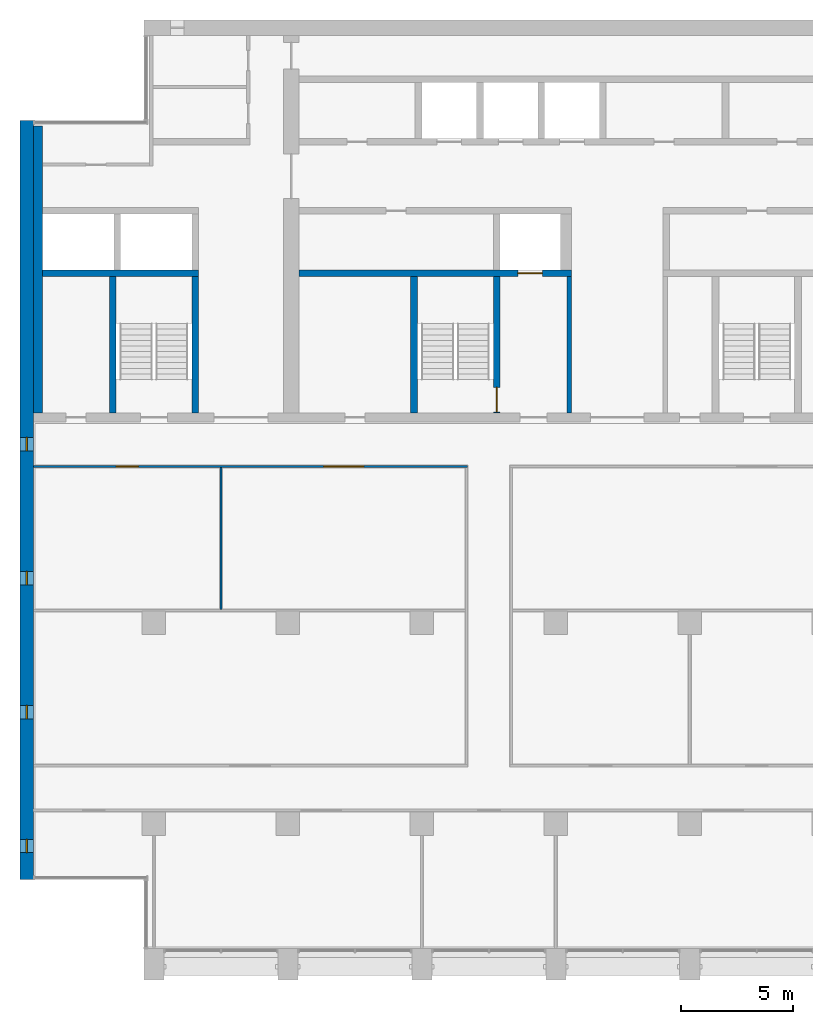
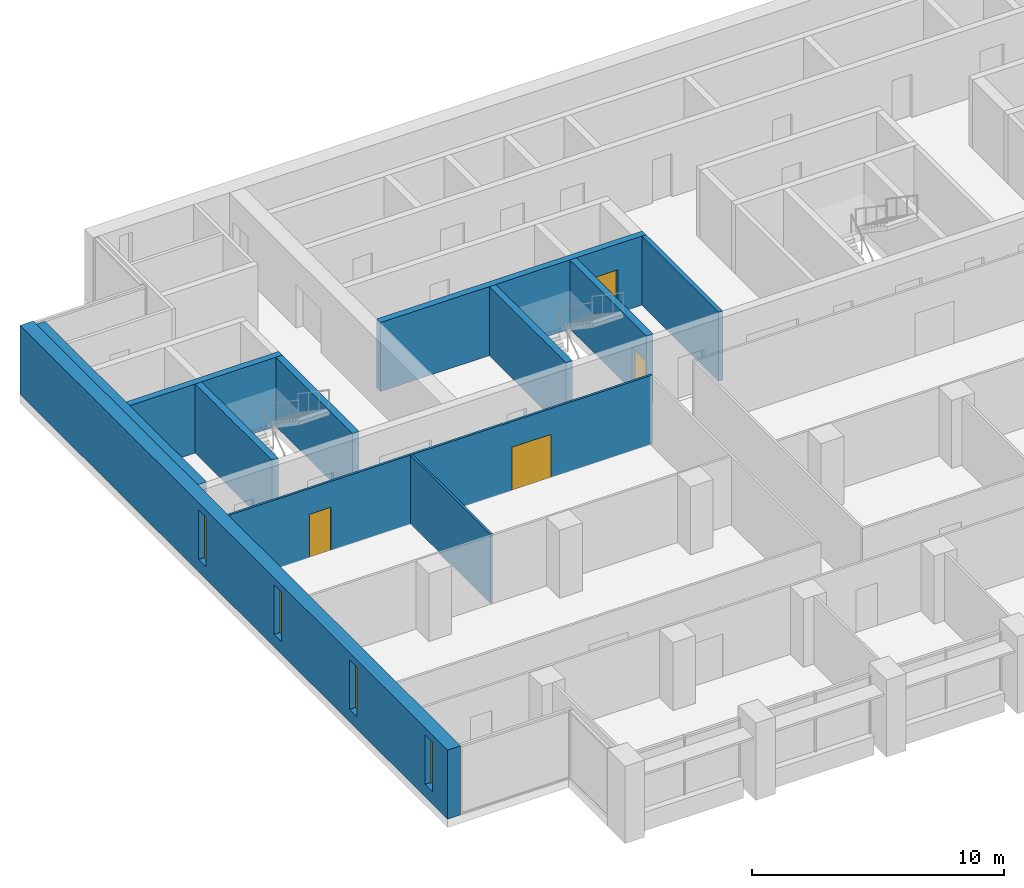
# One storey, part 8 of 17: 11 walls, 4 doors, 4 windows, 8 openings.
"""IFC4 building model written with IfcOpenShell, lengths in metres."""

from ifc_helpers import new_model, si_unit, direction, frame, frame_2d, origin, place, context, subcontext, project, spatial, rectangle, extrude, material, layer, layer_set, type_object, element, fill, save


model = new_model("IFC4")

# Units and contexts
model_context = context("Model", 3, precision=1e-05, world=origin(), true_north=direction((0.0, 1.0)))
body_context = subcontext(model_context, "Body", "Model", "MODEL_VIEW")
ifc_project = project(units=[si_unit("LENGTHUNIT", "METRE"), si_unit("AREAUNIT", "SQUARE_METRE"), si_unit("VOLUMEUNIT", "CUBIC_METRE"), si_unit("PLANEANGLEUNIT", "RADIAN"), si_unit("MASSUNIT", "GRAM", prefix="KILO")], contexts=[model_context])

# Site, building, storey
site_placement = place(None, origin())
site = spatial("IfcSite", under=ifc_project, at=site_placement, CompositionType="ELEMENT")
building_placement = place(site_placement, origin())
building = spatial("IfcBuilding", under=site, at=building_placement, Name="Calvaro Tower", CompositionType="ELEMENT")
storey_placement = place(building_placement, frame((0.0, 0.0, 200.5)))
storey = spatial("IfcBuildingStorey", under=building, at=storey_placement, Name="L50", CompositionType="ELEMENT", Elevation=200.5)

# Walls
ifc_material_1 = material(Name="Blockwork partition", Category="masonry")
ifc_layer_1 = layer(ifc_material_1, 0.199951171875)
ifc_layer_set_1 = layer_set([ifc_layer_1], Name="Blockwork partition")
wall_type_1 = type_object("IfcWallType", Name="Core partition 200 REI 120", PredefinedType="PARTITIONING", material=ifc_layer_set_1)
wall_1_placement = place(storey_placement, frame((30.60009765625, 28.39990234375, 0.0), z_axis=(0.0, 0.0, 1.0), x_axis=(0.0, 1.0, 0.0)))
element("IfcWall", 1, at=wall_1_placement, inside=storey, type_object=wall_type_1, Name="Core partition", PredefinedType="PARTITIONING", context=body_context, shape_type="SweptSolid", body=[
    extrude(rectangle(XDim=6.10009765625, YDim=0.199951171875, at=frame_2d((3.050048828125, 0.0))), origin(), (0.0, 0.0, 1.0), 3.35009765625),
])
ifc_material_2 = material(Name="Concrete C50/60", Category="concrete")
ifc_layer_2 = layer(ifc_material_2, 0.300048828125)
ifc_layer_set_2 = layer_set([ifc_layer_2], Name="Concrete C50/60")
wall_type_2 = type_object("IfcWallType", Name="Core wall C50/60 300", PredefinedType="SHEAR", material=ifc_layer_set_2)
for number, where, z_axis, x_axis, name in (
    (2, (10.14990234375, 28.39990234375, 0.0), (0.0, 0.0, 1.0), (0.0, 1.0, 0.0), "Core wall, stair enclosure"),
    (3, (13.85009765625, 28.39990234375, 0.0), (0.0, 0.0, 1.0), (0.0, 1.0, 0.0), "Core wall, stair enclosure"),
    (4, (23.64990234375, 28.39990234375, 0.0), (0.0, 0.0, 1.0), (0.0, 1.0, 0.0), "Core wall, stair enclosure"),
):
    element("IfcWall", number, at=place(storey_placement, frame(where, z_axis=z_axis, x_axis=x_axis)), inside=storey, type_object=wall_type_2, Name=name, PredefinedType="SHEAR", context=body_context, shape_type="SweptSolid", body=[
        extrude(rectangle(XDim=6.10009765625, YDim=0.300048828125, at=frame_2d((3.050048828125, 0.0))), origin(), (0.0, 0.0, 1.0), 3.35009765625),
    ])

# Wall, opening, door
wall_2_placement = place(storey_placement, frame((27.35009765625, 28.39990234375, 0.0), z_axis=(0.0, 0.0, 1.0), x_axis=(0.0, 1.0, 0.0)))
wall_2 = element("IfcWall", 5, at=wall_2_placement, inside=storey, type_object=wall_type_2, Name="Core wall, stair enclosure", PredefinedType="SHEAR", context=body_context, shape_type="SweptSolid", body=[
    extrude(rectangle(XDim=6.10009765625, YDim=0.300048828125, at=frame_2d((3.050048828125, 0.0))), origin(), (0.0, 0.0, 1.0), 3.35009765625),
])
opening_1_placement = place(wall_2_placement, frame((0.050048828125, 0.0, 0.0)))
opening_1 = element("IfcOpeningElement", 6, at=opening_1_placement, cuts=wall_2, Name="Opening FD11D", PredefinedType="OPENING", context=body_context, shape_type="SweptSolid", body=[
    extrude(rectangle(XDim=1.10009765625, YDim=2.10009765625, at=frame_2d((0.550048828125, 1.050048828125))), frame((0.0, 0.159912109375, 0.0), z_axis=(0.0, -1.0, 0.0), x_axis=(1.0, 0.0, 0.0)), (0.0, 0.0, 1.0), 0.320068359375),
])
ifc_material_3 = material(Name="Steel door set", Category="steel")
door_type_1 = type_object("IfcDoorType", Name="Fire door 1100 FD30S", OperationType="SINGLE_SWING_LEFT", PredefinedType="DOOR", material=ifc_material_3)
door_1_placement = place(opening_1_placement, origin())
door_1 = element("IfcDoor", 7, at=door_1_placement, inside=storey, type_object=door_type_1, Name="Fire door", OperationType="SINGLE_SWING_LEFT", OverallHeight=2.10009765625, OverallWidth=1.10009765625, PredefinedType="DOOR", context=body_context, shape_type="SweptSolid", body=[
    extrude(rectangle(XDim=1.10009765625, YDim=2.10009765625, at=frame_2d((0.550048828125, 1.050048828125))), frame((0.0, 0.02490234375, 0.0), z_axis=(0.0, -1.0, 0.0), x_axis=(1.0, 0.0, 0.0)), (0.0, 0.0, 1.0), 0.050048828125),
])
fill(opening_1, door_1)

# Wall
wall_3_placement = place(storey_placement, frame((7.0, 34.64990234375, 0.0), z_axis=(0.0, 0.0, 1.0), x_axis=(1.0, 0.0, 0.0)))
element("IfcWall", 8, at=wall_3_placement, inside=storey, type_object=wall_type_2, Name="Core wall, lift shaft", PredefinedType="SHEAR", context=body_context, shape_type="SweptSolid", body=[
    extrude(rectangle(XDim=7.0, YDim=0.300048828125, at=frame_2d((3.5, 0.0))), origin(), (0.0, 0.0, 1.0), 3.35009765625),
])

# Wall, opening, door
wall_4_placement = place(storey_placement, frame((18.5, 34.64990234375, 0.0), z_axis=(0.0, 0.0, 1.0), x_axis=(1.0, 0.0, 0.0)))
wall_4 = element("IfcWall", 9, at=wall_4_placement, inside=storey, type_object=wall_type_2, Name="Core wall, lift shaft", PredefinedType="SHEAR", context=body_context, shape_type="SweptSolid", body=[
    extrude(rectangle(XDim=12.199951171875, YDim=0.300048828125, at=frame_2d((6.10009765625, 0.0))), origin(), (0.0, 0.0, 1.0), 3.35009765625),
])
opening_2_placement = place(wall_4_placement, frame((9.800048828125, 0.0, 0.0)))
opening_2 = element("IfcOpeningElement", 10, at=opening_2_placement, cuts=wall_4, Name="Opening FF1", PredefinedType="OPENING", context=body_context, shape_type="SweptSolid", body=[
    extrude(rectangle(XDim=1.10009765625, YDim=2.10009765625, at=frame_2d((0.550048828125, 1.050048828125))), frame((0.0, 0.159912109375, 0.0), z_axis=(0.0, -1.0, 0.0), x_axis=(1.0, 0.0, 0.0)), (0.0, 0.0, 1.0), 0.320068359375),
])
ifc_material_4 = material(Name="Stainless steel", Category="steel")
door_type_2 = type_object("IfcDoorType", Name="Landing door 1100 E 60", OperationType="SLIDING_TO_LEFT", PredefinedType="DOOR", material=ifc_material_4)
door_2_placement = place(opening_2_placement, origin())
door_2 = element("IfcDoor", 11, at=door_2_placement, inside=storey, type_object=door_type_2, Name="Landing door FF1", OperationType="SLIDING_TO_LEFT", OverallHeight=2.10009765625, OverallWidth=1.10009765625, PredefinedType="DOOR", context=body_context, shape_type="SweptSolid", body=[
    extrude(rectangle(XDim=1.10009765625, YDim=2.10009765625, at=frame_2d((0.550048828125, 1.050048828125))), frame((0.0, 0.02490234375, 0.0), z_axis=(0.0, -1.0, 0.0), x_axis=(1.0, 0.0, 0.0)), (0.0, 0.0, 1.0), 0.050048828125),
])
fill(opening_2, door_2)

# Wall
ifc_material_5 = material(Name="Concrete C50/60", Category="concrete")
ifc_layer_3 = layer(ifc_material_5, 0.39990234375)
ifc_layer_set_3 = layer_set([ifc_layer_3], Name="Concrete C50/60")
wall_type_3 = type_object("IfcWallType", Name="Core wall C50/60 400", PredefinedType="SHEAR", material=ifc_layer_set_3)
wall_5_placement = place(storey_placement, frame((6.800048828125, 28.39990234375, 0.0), z_axis=(0.0, 0.0, 1.0), x_axis=(0.0, 1.0, 0.0)))
element("IfcWall", 12, at=wall_5_placement, inside=storey, type_object=wall_type_3, Name="Core wall, boundary", PredefinedType="SHEAR", context=body_context, shape_type="SweptSolid", body=[
    extrude(rectangle(XDim=12.85009765625, YDim=0.39990234375, at=frame_2d((6.425048828125, 0.0))), origin(), (0.0, 0.0, 1.0), 3.35009765625),
])

# Wall, openings, windows
ifc_material_6 = material(Name="Concrete C50/60", Category="concrete")
ifc_layer_4 = layer(ifc_material_6, 0.60009765625)
ifc_layer_set_4 = layer_set([ifc_layer_4], Name="Concrete C50/60")
wall_type_4 = type_object("IfcWallType", Name="End wall 600 C50/60", PredefinedType="SHEAR", material=ifc_layer_set_4)
wall_6_placement = place(storey_placement, frame((6.300048828125, 7.5, 0.0), z_axis=(0.0, 0.0, 1.0), x_axis=(0.0, 1.0, 0.0)))
wall_6 = element("IfcWall", 13, at=wall_6_placement, inside=storey, type_object=wall_type_4, Name="End shear wall", PredefinedType="SHEAR", context=body_context, shape_type="SweptSolid", body=[
    extrude(rectangle(XDim=34.0, YDim=0.60009765625, at=frame_2d((17.0, 0.0))), origin(), (0.0, 0.0, 1.0), 3.35009765625),
])
opening_3_placement = place(wall_6_placement, frame((1.199951171875, 0.0, 0.60009765625)))
opening_3 = element("IfcOpeningElement", 14, at=opening_3_placement, cuts=wall_6, Name="Opening WW01", PredefinedType="OPENING", context=body_context, shape_type="SweptSolid", body=[
    extrude(rectangle(XDim=0.60009765625, YDim=2.39990234375, at=frame_2d((0.300048828125, 1.199951171875))), frame((0.0, 0.31005859375, 0.0), z_axis=(0.0, -1.0, 0.0), x_axis=(1.0, 0.0, 0.0)), (0.0, 0.0, 1.0), 0.6201171875),
])
opening_4_placement = place(wall_6_placement, frame((7.199951171875, 0.0, 0.60009765625)))
opening_4 = element("IfcOpeningElement", 15, at=opening_4_placement, cuts=wall_6, Name="Opening WW02", PredefinedType="OPENING", context=body_context, shape_type="SweptSolid", body=[
    extrude(rectangle(XDim=0.60009765625, YDim=2.39990234375, at=frame_2d((0.300048828125, 1.199951171875))), frame((0.0, 0.31005859375, 0.0), z_axis=(0.0, -1.0, 0.0), x_axis=(1.0, 0.0, 0.0)), (0.0, 0.0, 1.0), 0.6201171875),
])
opening_5_placement = place(wall_6_placement, frame((13.199951171875, 0.0, 0.60009765625)))
opening_5 = element("IfcOpeningElement", 16, at=opening_5_placement, cuts=wall_6, Name="Opening WW03", PredefinedType="OPENING", context=body_context, shape_type="SweptSolid", body=[
    extrude(rectangle(XDim=0.60009765625, YDim=2.39990234375, at=frame_2d((0.300048828125, 1.199951171875))), frame((0.0, 0.31005859375, 0.0), z_axis=(0.0, -1.0, 0.0), x_axis=(1.0, 0.0, 0.0)), (0.0, 0.0, 1.0), 0.6201171875),
])
opening_6_placement = place(wall_6_placement, frame((19.199951171875, 0.0, 0.60009765625)))
opening_6 = element("IfcOpeningElement", 17, at=opening_6_placement, cuts=wall_6, Name="Opening WW04", PredefinedType="OPENING", context=body_context, shape_type="SweptSolid", body=[
    extrude(rectangle(XDim=0.60009765625, YDim=2.39990234375, at=frame_2d((0.300048828125, 1.199951171875))), frame((0.0, 0.31005859375, 0.0), z_axis=(0.0, -1.0, 0.0), x_axis=(1.0, 0.0, 0.0)), (0.0, 0.0, 1.0), 0.6201171875),
])
ifc_material_7 = material(Name="Glass", Category="glass")
window_type = type_object("IfcWindowType", Name="Slit window 600 x 2400", PartitioningType="SINGLE_PANEL", PredefinedType="WINDOW", material=ifc_material_7)
window_1_placement = place(opening_3_placement, origin())
window_1 = element("IfcWindow", 18, at=window_1_placement, inside=storey, type_object=window_type, Name="Window WW01", OverallHeight=2.39990234375, OverallWidth=0.60009765625, PartitioningType="SINGLE_PANEL", PredefinedType="WINDOW", context=body_context, shape_type="SweptSolid", body=[
    extrude(rectangle(XDim=0.60009765625, YDim=2.39990234375, at=frame_2d((0.300048828125, 1.199951171875))), frame((0.0, 0.030029296875, 0.0), z_axis=(0.0, -1.0, 0.0), x_axis=(1.0, 0.0, 0.0)), (0.0, 0.0, 1.0), 0.06005859375),
])
fill(opening_3, window_1)
window_2_placement = place(opening_4_placement, origin())
window_2 = element("IfcWindow", 19, at=window_2_placement, inside=storey, type_object=window_type, Name="Window WW02", OverallHeight=2.39990234375, OverallWidth=0.60009765625, PartitioningType="SINGLE_PANEL", PredefinedType="WINDOW", context=body_context, shape_type="SweptSolid", body=[
    extrude(rectangle(XDim=0.60009765625, YDim=2.39990234375, at=frame_2d((0.300048828125, 1.199951171875))), frame((0.0, 0.030029296875, 0.0), z_axis=(0.0, -1.0, 0.0), x_axis=(1.0, 0.0, 0.0)), (0.0, 0.0, 1.0), 0.06005859375),
])
fill(opening_4, window_2)
window_3_placement = place(opening_5_placement, origin())
window_3 = element("IfcWindow", 20, at=window_3_placement, inside=storey, type_object=window_type, Name="Window WW03", OverallHeight=2.39990234375, OverallWidth=0.60009765625, PartitioningType="SINGLE_PANEL", PredefinedType="WINDOW", context=body_context, shape_type="SweptSolid", body=[
    extrude(rectangle(XDim=0.60009765625, YDim=2.39990234375, at=frame_2d((0.300048828125, 1.199951171875))), frame((0.0, 0.030029296875, 0.0), z_axis=(0.0, -1.0, 0.0), x_axis=(1.0, 0.0, 0.0)), (0.0, 0.0, 1.0), 0.06005859375),
])
fill(opening_5, window_3)
window_4_placement = place(opening_6_placement, origin())
window_4 = element("IfcWindow", 21, at=window_4_placement, inside=storey, type_object=window_type, Name="Window WW04", OverallHeight=2.39990234375, OverallWidth=0.60009765625, PartitioningType="SINGLE_PANEL", PredefinedType="WINDOW", context=body_context, shape_type="SweptSolid", body=[
    extrude(rectangle(XDim=0.60009765625, YDim=2.39990234375, at=frame_2d((0.300048828125, 1.199951171875))), frame((0.0, 0.030029296875, 0.0), z_axis=(0.0, -1.0, 0.0), x_axis=(1.0, 0.0, 0.0)), (0.0, 0.0, 1.0), 0.06005859375),
])
fill(opening_6, window_4)

# Wall, openings, doors
ifc_material_8 = material(Name="Plasterboard on steel studs", Category="steel")
ifc_layer_5 = layer(ifc_material_8, 0.10009765625)
ifc_layer_set_5 = layer_set([ifc_layer_5], Name="Plasterboard on steel studs")
wall_type_5 = type_object("IfcWallType", Name="Partition 100", PredefinedType="PARTITIONING", material=ifc_layer_set_5)
wall_7_placement = place(storey_placement, frame((6.60009765625, 26.0, 0.0), z_axis=(0.0, 0.0, 1.0), x_axis=(1.0, 0.0, 0.0)))
wall_7 = element("IfcWall", 22, at=wall_7_placement, inside=storey, type_object=wall_type_5, Name="Partition T29.W008", PredefinedType="PARTITIONING", context=body_context, shape_type="SweptSolid", body=[
    extrude(rectangle(XDim=19.449951171875, YDim=0.10009765625, at=frame_2d((9.72509765625, 0.0))), origin(), (0.0, 0.0, 1.0), 3.35009765625),
])
opening_7_placement = place(wall_7_placement, frame((3.699951171875, 0.0, 0.0)))
opening_7 = element("IfcOpeningElement", 23, at=opening_7_placement, cuts=wall_7, Name="Opening T29.014", PredefinedType="OPENING", context=body_context, shape_type="SweptSolid", body=[
    extrude(rectangle(XDim=1.0, YDim=2.10009765625, at=frame_2d((0.5, 1.050048828125))), frame((0.0, 0.06005859375, 0.0), z_axis=(0.0, -1.0, 0.0), x_axis=(1.0, 0.0, 0.0)), (0.0, 0.0, 1.0), 0.1201171875),
])
opening_8_placement = place(wall_7_placement, frame((13.0, 0.0, 0.0)))
opening_8 = element("IfcOpeningElement", 24, at=opening_8_placement, cuts=wall_7, Name="Opening T29.015", PredefinedType="OPENING", context=body_context, shape_type="SweptSolid", body=[
    extrude(rectangle(XDim=1.800048828125, YDim=2.10009765625, at=frame_2d((0.89990234375, 1.050048828125))), frame((0.0, 0.06005859375, 0.0), z_axis=(0.0, -1.0, 0.0), x_axis=(1.0, 0.0, 0.0)), (0.0, 0.0, 1.0), 0.1201171875),
])
ifc_material_9 = material(Name="Timber", Category="wood")
door_type_3 = type_object("IfcDoorType", Name="Internal double door 1800 x 2100", OperationType="DOUBLE_DOOR_SINGLE_SWING", PredefinedType="DOOR", material=ifc_material_9)
door_3_placement = place(opening_8_placement, origin())
door_3 = element("IfcDoor", 25, at=door_3_placement, inside=storey, type_object=door_type_3, Name="Door T29.015", OperationType="DOUBLE_DOOR_SINGLE_SWING", OverallHeight=2.10009765625, OverallWidth=1.800048828125, PredefinedType="DOOR", context=body_context, shape_type="SweptSolid", body=[
    extrude(rectangle(XDim=1.800048828125, YDim=2.10009765625, at=frame_2d((0.89990234375, 1.050048828125))), frame((0.0, 0.02490234375, 0.0), z_axis=(0.0, -1.0, 0.0), x_axis=(1.0, 0.0, 0.0)), (0.0, 0.0, 1.0), 0.050048828125),
])
fill(opening_8, door_3)
ifc_material_10 = material(Name="Timber", Category="wood")
door_type_4 = type_object("IfcDoorType", Name="Internal single door 1000 x 2100", OperationType="SINGLE_SWING_LEFT", PredefinedType="DOOR", material=ifc_material_10)
door_4_placement = place(opening_7_placement, origin())
door_4 = element("IfcDoor", 26, at=door_4_placement, inside=storey, type_object=door_type_4, Name="Door T29.014", OperationType="SINGLE_SWING_LEFT", OverallHeight=2.10009765625, OverallWidth=1.0, PredefinedType="DOOR", context=body_context, shape_type="SweptSolid", body=[
    extrude(rectangle(XDim=1.0, YDim=2.10009765625, at=frame_2d((0.5, 1.050048828125))), frame((0.0, 0.02490234375, 0.0), z_axis=(0.0, -1.0, 0.0), x_axis=(1.0, 0.0, 0.0)), (0.0, 0.0, 1.0), 0.050048828125),
])
fill(opening_7, door_4)

# Wall
wall_8_placement = place(storey_placement, frame((15.0, 19.60009765625, 0.0), z_axis=(0.0, 0.0, 1.0), x_axis=(0.0, 1.0, 0.0)))
element("IfcWall", 27, at=wall_8_placement, inside=storey, type_object=wall_type_5, Name="Partition T29.W013", PredefinedType="PARTITIONING", context=body_context, shape_type="SweptSolid", body=[
    extrude(rectangle(XDim=6.349853515625, YDim=0.10009765625, at=frame_2d((3.1748046875, 0.0))), origin(), (0.0, 0.0, 1.0), 3.35009765625),
])

save(model, "model.ifc")
